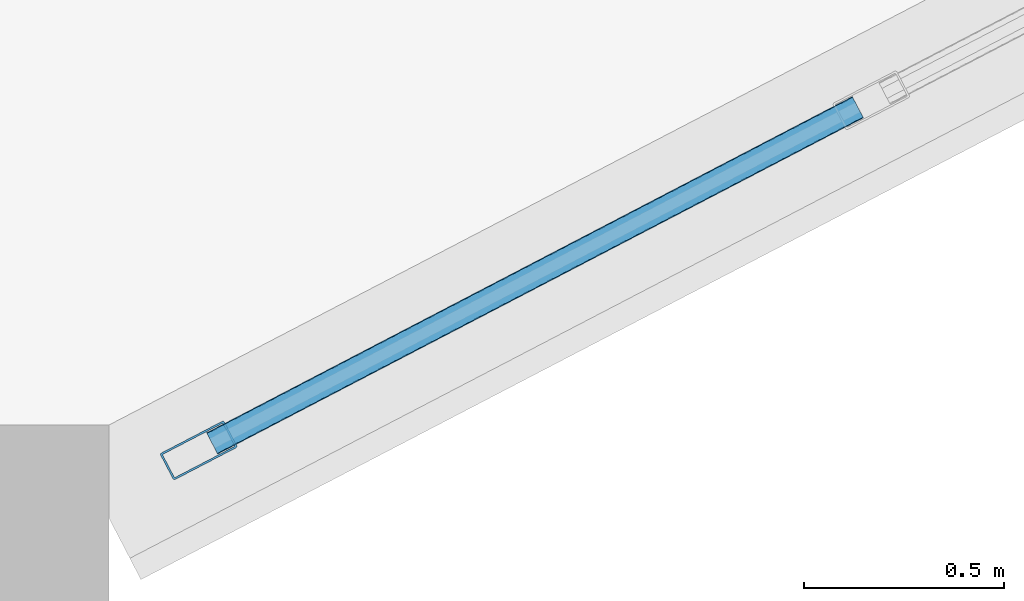
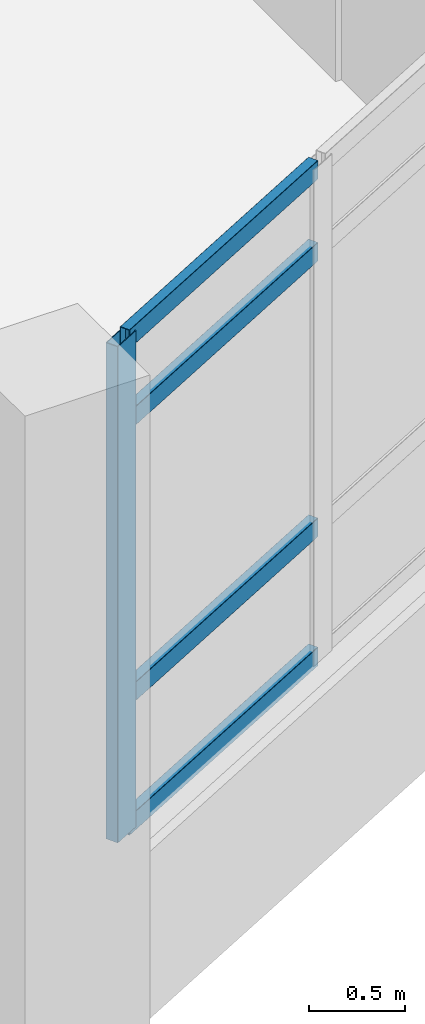
# One storey, part 13 of 128: 5 members, 1 element without a shape of its own.
"""IFC4 building model written with IfcOpenShell, lengths in metres."""

import ifcopenshell
import ifcopenshell.guid

model = None  # the IFC model being written
_history = None  # IfcOwnerHistory: only IFC2X3 demands one
_inside = {}  # id of a spatial element -> (the spatial element, [elements in it])
_under = {}  # id of a project, library or spatial element -> (it, [spatial elements below it])
_declared = {}  # id of a project -> (the project, [libraries it declares])
_typed = {}  # id of a type object -> (the type object, [elements of that type])
_made_of = {}  # id of a material, layer set ... -> (it, [elements and type objects made of it])


def new_model(schema):
    """Start an empty IFC model of exactly this schema.

    Asked for "IFC4X3", IfcOpenShell would pick the latest addendum, in which some entities
    have other attributes; the version numbers below select the first issue.
    IFC2X3 requires an IfcOwnerHistory on every rooted entity: one is made here for all.
    """
    global model, _history
    if schema == "IFC4X3":
        model = ifcopenshell.file(schema_version=(4, 3, 0, 0))
    else:
        model = ifcopenshell.file(schema=schema)
    _inside.clear()
    _under.clear()
    _declared.clear()
    _typed.clear()
    _made_of.clear()
    _history = None
    if model.schema == "IFC2X3":
        org = make("IfcOrganization", Name="unknown")
        user = make(
            "IfcPersonAndOrganization",
            ThePerson=make("IfcPerson", FamilyName="unknown"),
            TheOrganization=org,
        )
        app = make(
            "IfcApplication",
            ApplicationDeveloper=org,
            Version="unknown",
            ApplicationFullName="unknown",
            ApplicationIdentifier="unknown",
        )
        _history = make(
            "IfcOwnerHistory",
            OwningUser=user,
            OwningApplication=app,
            ChangeAction="ADDED",
            CreationDate=0,
        )
    return model


def make(cls, **values):
    """One entity of the class cls with the attributes given. An attribute that is None is left unset."""
    return model.create_entity(
        cls, **{name: value for name, value in values.items() if value is not None}
    )


def rooted(cls, **values):
    """An entity with a GlobalId (a new one), such as an element, a storey or a relation."""
    return make(cls, GlobalId=ifcopenshell.guid.new(), OwnerHistory=_history, **values)


def si_unit(unit_type, name, prefix=None):
    """IfcSIUnit, for example si_unit("LENGTHUNIT", "METRE", prefix="MILLI")."""
    return make("IfcSIUnit", UnitType=unit_type, Prefix=prefix, Name=name)


def assignment(units):
    """IfcUnitAssignment: the units of a project."""
    return None if units is None else make("IfcUnitAssignment", Units=units)


def point(xyz):
    """IfcCartesianPoint."""
    return None if xyz is None else make("IfcCartesianPoint", Coordinates=xyz)


def direction(xyz):
    """IfcDirection."""
    return None if xyz is None else make("IfcDirection", DirectionRatios=xyz)


def frame(location, z_axis=None, x_axis=None):
    """IfcAxis2Placement3D, a coordinate frame: its origin and axes. An axis left out is left unset."""
    return make(
        "IfcAxis2Placement3D",
        Location=point(location),
        Axis=direction(z_axis),
        RefDirection=direction(x_axis),
    )


def frame_2d(location, x_axis=None):
    """IfcAxis2Placement2D, a coordinate frame in the plane: its origin and x axis."""
    return make(
        "IfcAxis2Placement2D", Location=point(location), RefDirection=direction(x_axis)
    )


def origin():
    """The frame at (0, 0, 0) with its axes left unset."""
    return frame((0.0, 0.0, 0.0))


def origin_2d():
    """The frame at (0, 0) in the plane with its x axis left unset."""
    return frame_2d((0.0, 0.0))


def place(relative_to, where):
    """IfcLocalPlacement: puts the frame where relative to a parent placement (None: the world)."""
    return make(
        "IfcLocalPlacement", PlacementRelTo=relative_to, RelativePlacement=where
    )


def context(
    kind, dimensions, precision=None, world=None, true_north=None, identifier=None
):
    """IfcGeometricRepresentationContext, for example the 3D "Model" context."""
    return make(
        "IfcGeometricRepresentationContext",
        ContextIdentifier=identifier,
        ContextType=kind,
        CoordinateSpaceDimension=dimensions,
        Precision=precision,
        WorldCoordinateSystem=world,
        TrueNorth=true_north,
    )


def subcontext(parent, identifier, kind, view, scale=None):
    """IfcGeometricRepresentationSubContext, for example "Body" below "Model"."""
    return make(
        "IfcGeometricRepresentationSubContext",
        ContextIdentifier=identifier,
        ContextType=kind,
        ParentContext=parent,
        TargetScale=scale,
        TargetView=view,
    )


def project(units=None, contexts=None):
    """IfcProject with its units and contexts."""
    return rooted(
        "IfcProject",
        Name="project",
        RepresentationContexts=contexts,
        UnitsInContext=assignment(units),
    )


def spatial(cls, under=None, at=None, **own):
    """A site, building, storey or space (cls), placed at a placement, below another one or the project."""
    s = rooted(cls, ObjectPlacement=at, **own)
    if under is not None:
        _under.setdefault(under.id(), (under, []))[1].append(s)
    return s


def profile(cls, at=None, kind="AREA", **sizes):
    """A parametric profile (cls). Its sizes go by their IFC names, for example OverallWidth=200.0."""
    return make(cls, ProfileType=kind, Position=at, **sizes)


def hollow_rectangle(**sizes):
    """IfcRectangleHollowProfileDef."""
    return profile("IfcRectangleHollowProfileDef", **sizes)


def extrude(swept, where, along, depth):
    """IfcExtrudedAreaSolid: the profile swept, set in the frame where, extruded along a direction by depth."""
    return make(
        "IfcExtrudedAreaSolid",
        SweptArea=swept,
        Position=where,
        ExtrudedDirection=direction(along),
        Depth=depth,
    )


def shape(context_of_items, identifier, shape_type, items):
    """IfcShapeRepresentation: the items that make up one representation, for example the "Body"."""
    return make(
        "IfcShapeRepresentation",
        ContextOfItems=context_of_items,
        RepresentationIdentifier=identifier,
        RepresentationType=shape_type,
        Items=items,
    )


def material(Name=None, Category=None):
    """IfcMaterial."""
    return make("IfcMaterial", Name=Name, Category=Category)


def layer(
    of_material, thickness, ventilated=None, Name=None, Category=None, Priority=None
):
    """IfcMaterialLayer: one layer of a wall or slab, of a material (None: an air gap)."""
    return make(
        "IfcMaterialLayer",
        Material=of_material,
        LayerThickness=thickness,
        IsVentilated=ventilated,
        Name=Name,
        Category=Category,
        Priority=Priority,
    )


def layer_set(layers, Name=None):
    """IfcMaterialLayerSet."""
    return make("IfcMaterialLayerSet", MaterialLayers=layers, LayerSetName=Name)


def material_profile(
    of_material, cross_section, Name=None, Category=None, Priority=None
):
    """IfcMaterialProfile: a cross section and its material."""
    return make(
        "IfcMaterialProfile",
        Name=Name,
        Material=of_material,
        Profile=cross_section,
        Priority=Priority,
        Category=Category,
    )


def profile_set(profiles, Name=None, composite=None):
    """IfcMaterialProfileSet."""
    return make(
        "IfcMaterialProfileSet",
        Name=Name,
        MaterialProfiles=profiles,
        CompositeProfile=composite,
    )


def made_of(thing, what):
    """Note that an element or type object is made of a material, layer set ...; save() writes the relation."""
    if what is not None:
        _made_of.setdefault(what.id(), (what, []))[1].append(thing)
    return thing


def type_object(cls, material=None, **own):
    """A type object (cls), such as IfcWallType, which elements share."""
    return made_of(rooted(cls, **own), material)


def element(
    cls,
    number,
    at=None,
    inside=None,
    cuts=None,
    type_object=None,
    material=None,
    context=None,
    identifier="Body",
    shape_type=None,
    held_by="IfcProductDefinitionShape",
    body=None,
    shapes=None,
    **own,
):
    """One element of the class cls, such as IfcWall. Its Tag is "e" and its number.

    at: its placement. inside: the storey or other place that contains it. cuts: it is an
    opening in that element (IfcRelVoidsElement). A single representation is given by context,
    identifier, shape_type and body (its items); several are given by shapes. held_by: the class
    of the entity that holds the representations. save() writes the other relations.
    """
    e = rooted(cls, Tag="e%d" % number, ObjectPlacement=at, **own)
    if body is not None:
        shapes = [shape(context, identifier, shape_type, body)]
    if shapes is not None:
        e.Representation = make(held_by, Representations=shapes)
    if inside is not None:
        _inside.setdefault(inside.id(), (inside, []))[1].append(e)
    if cuts is not None:
        rooted(
            "IfcRelVoidsElement", RelatingBuildingElement=cuts, RelatedOpeningElement=e
        )
    if type_object is not None:
        _typed.setdefault(type_object.id(), (type_object, []))[1].append(e)
    return made_of(e, material)


def aggregate(whole, parts):
    """IfcRelAggregates: a whole, such as a stair, and the parts it consists of."""
    return rooted("IfcRelAggregates", RelatingObject=whole, RelatedObjects=parts)


def save(model, path):
    """Write the relations noted so far, then the file.

    IfcRelAggregates (storeys below a building ...), IfcRelContainedInSpatialStructure (elements
    in a storey), IfcRelDefinesByType, IfcRelAssociatesMaterial and IfcRelDeclares: one each for
    every whole, place, type object, material and project.
    """
    for whole, parts in _under.values():
        aggregate(whole, parts)
    for where, things in _inside.values():
        rooted(
            "IfcRelContainedInSpatialStructure",
            RelatedElements=things,
            RelatingStructure=where,
        )
    for kind, things in _typed.values():
        rooted("IfcRelDefinesByType", RelatedObjects=things, RelatingType=kind)
    for what, things in _made_of.values():
        rooted("IfcRelAssociatesMaterial", RelatedObjects=things, RelatingMaterial=what)
    for by, libraries in _declared.values():
        rooted("IfcRelDeclares", RelatingContext=by, RelatedDefinitions=libraries)
    model.write(path)


model = new_model("IFC4")

# Units and contexts
model_context = context("Model", 3, precision=1e-05, world=origin(), true_north=direction((0.0, 1.0)))
body_context = subcontext(model_context, "Body", "Model", "MODEL_VIEW")
ifc_project = project(units=[si_unit("LENGTHUNIT", "METRE"), si_unit("AREAUNIT", "SQUARE_METRE"), si_unit("VOLUMEUNIT", "CUBIC_METRE"), si_unit("PLANEANGLEUNIT", "RADIAN"), si_unit("MASSUNIT", "GRAM", prefix="KILO")], contexts=[model_context])

# Site, building, storey
site_placement = place(None, origin())
site = spatial("IfcSite", under=ifc_project, at=site_placement, CompositionType="ELEMENT")
building_placement = place(site_placement, origin())
building = spatial("IfcBuilding", under=site, at=building_placement, Name="Vespera Passage Community Centre", CompositionType="ELEMENT")
storey_placement = place(building_placement, frame((0.0, 0.0, 4.5)))
storey = spatial("IfcBuildingStorey", under=building, at=storey_placement, Name="L01", CompositionType="ELEMENT", Elevation=4.5)

# Curtain wall, members
ifc_material_1 = material(Name="Anodized aluminium 6063-T6", Category="aluminium")
ifc_layer = layer(ifc_material_1, 0.159912109375)
ifc_layer_set = layer_set([ifc_layer], Name="Anodized aluminium 6063-T6")
curtain_wall_type = type_object("IfcCurtainWallType", Name="CW-85E", PredefinedType="NOTDEFINED", material=ifc_layer_set)
curtain_wall_placement = place(storey_placement, origin())
curtain_wall = element("IfcCurtainWall", 1, at=curtain_wall_placement, inside=storey, type_object=curtain_wall_type, Name="V1 L01 S Apse Ribbon Curtain Wall 2", PredefinedType="NOTDEFINED")
ifc_material_2 = material(Name="Anodized aluminium 6063-T6", Category="aluminium")
ifc_material_profile_1 = material_profile(ifc_material_2, hollow_rectangle(XDim=0.074951171875, YDim=0.179931640625, WallThickness=0.0048828125, InnerFilletRadius=0.00244140625, OuterFilletRadius=0.0048828125, at=origin_2d()), Name="ALU180X75X5")
ifc_profile_set_1 = profile_set([ifc_material_profile_1], Name="Anodized aluminium 6063-T6")
member_type_1 = type_object("IfcMemberType", Name="MB-CWM-180E", PredefinedType="MULLION", material=ifc_profile_set_1)
member_1_placement = place(storey_placement, frame((18.598876953125, 4.36181640625, 0.800048828125), z_axis=(0.0, 0.0, 1.0), x_axis=(0.46174493668, -0.887012747062, 0.0)))
member_1 = element("IfcMember", 2, at=member_1_placement, type_object=member_type_1, Name="CW-85E mullion 7", PredefinedType="MULLION", context=body_context, shape_type="SweptSolid", body=[
    extrude(hollow_rectangle(XDim=0.074951171875, YDim=0.179931640625, WallThickness=0.0048828125, InnerFilletRadius=0.00244140625, OuterFilletRadius=0.0048828125, at=origin_2d()), origin(), (0.0, 0.0, 1.0), 3.14990234375),
])
ifc_material_3 = material(Name="Anodized aluminium 6063-T6", Category="aluminium")
ifc_material_profile_2 = material_profile(ifc_material_3, hollow_rectangle(XDim=0.06005859375, YDim=0.1201171875, WallThickness=0.00390625, InnerFilletRadius=0.001953125, OuterFilletRadius=0.00390625, at=origin_2d()), Name="ALU120X60X4")
ifc_profile_set_2 = profile_set([ifc_material_profile_2], Name="Anodized aluminium 6063-T6")
member_type_2 = type_object("IfcMemberType", Name="MB-CWT-120E", PredefinedType="USERDEFINED", material=ifc_profile_set_2)
member_2_placement = place(storey_placement, frame((20.248291015625, 5.220458984375, 0.830078125), z_axis=(-0.886990706074, -0.461787274986, 0.0), x_axis=(0.461787274986, -0.886990706074, 0.0)))
member_2 = element("IfcMember", 3, at=member_2_placement, type_object=member_type_2, Name="CW-85E transom 6.1", ObjectType="TRANSOM", PredefinedType="USERDEFINED", context=body_context, shape_type="SweptSolid", body=[
    extrude(hollow_rectangle(XDim=0.06005859375, YDim=0.1201171875, WallThickness=0.00390625, InnerFilletRadius=0.001953125, OuterFilletRadius=0.00390625, at=origin_2d()), origin(), (0.0, 0.0, 1.0), 1.82177734375),
])
member_3_placement = place(storey_placement, frame((20.248291015625, 5.220458984375, 1.64990234375), z_axis=(-0.886990706074, -0.461787274986, 0.0), x_axis=(0.461787274986, -0.886990706074, 0.0)))
member_3 = element("IfcMember", 4, at=member_3_placement, type_object=member_type_2, Name="CW-85E transom 6.2", ObjectType="TRANSOM", PredefinedType="USERDEFINED", context=body_context, shape_type="SweptSolid", body=[
    extrude(hollow_rectangle(XDim=0.06005859375, YDim=0.1201171875, WallThickness=0.00390625, InnerFilletRadius=0.001953125, OuterFilletRadius=0.00390625, at=origin_2d()), origin(), (0.0, 0.0, 1.0), 1.82177734375),
])
member_4_placement = place(storey_placement, frame((20.248291015625, 5.220458984375, 3.39990234375), z_axis=(-0.886990706074, -0.461787274986, 0.0), x_axis=(0.461787274986, -0.886990706074, 0.0)))
member_4 = element("IfcMember", 5, at=member_4_placement, type_object=member_type_2, Name="CW-85E transom 6.3", ObjectType="TRANSOM", PredefinedType="USERDEFINED", context=body_context, shape_type="SweptSolid", body=[
    extrude(hollow_rectangle(XDim=0.06005859375, YDim=0.1201171875, WallThickness=0.00390625, InnerFilletRadius=0.001953125, OuterFilletRadius=0.00390625, at=origin_2d()), origin(), (0.0, 0.0, 1.0), 1.82177734375),
])
member_5_placement = place(storey_placement, frame((20.248291015625, 5.220458984375, 3.919921875), z_axis=(-0.886990706074, -0.461787274986, 0.0), x_axis=(0.461787274986, -0.886990706074, 0.0)))
member_5 = element("IfcMember", 6, at=member_5_placement, type_object=member_type_2, Name="CW-85E transom 6.4", ObjectType="TRANSOM", PredefinedType="USERDEFINED", context=body_context, shape_type="SweptSolid", body=[
    extrude(hollow_rectangle(XDim=0.06005859375, YDim=0.1201171875, WallThickness=0.00390625, InnerFilletRadius=0.001953125, OuterFilletRadius=0.00390625, at=origin_2d()), origin(), (0.0, 0.0, 1.0), 1.82177734375),
])
aggregate(curtain_wall, [member_1, member_2, member_3, member_4, member_5])

save(model, "model.ifc")
